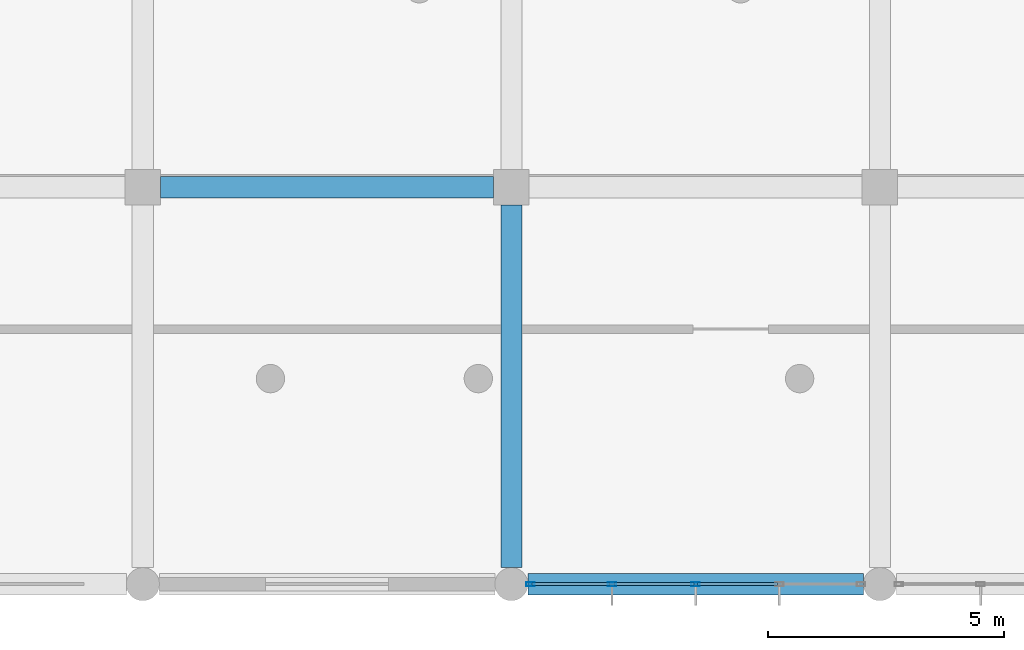
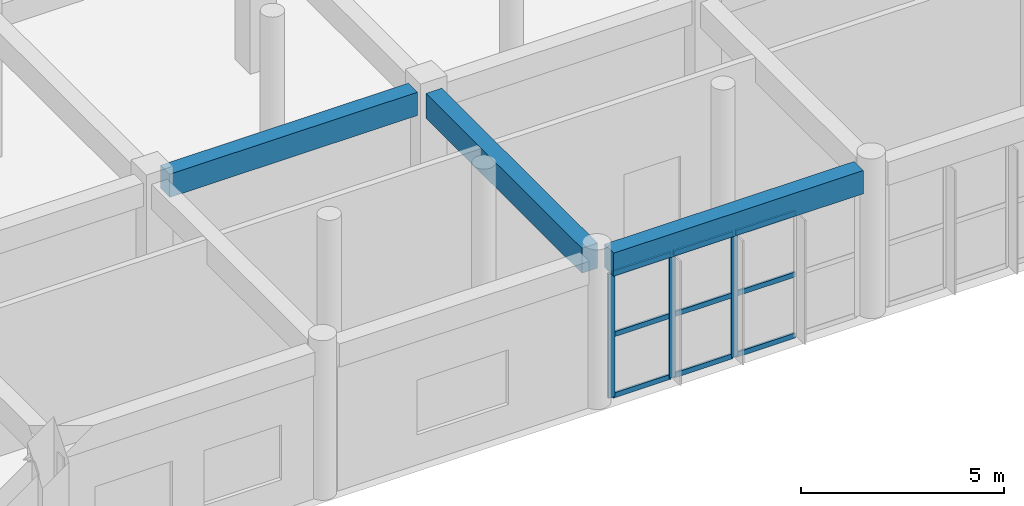
# One storey, part 6 of 167: 12 members, 3 beams, 1 element without a shape of its own.
"""IFC4 building model written with IfcOpenShell, lengths in metres."""

import ifcopenshell
import ifcopenshell.guid

model = None  # the IFC model being written
_history = None  # IfcOwnerHistory: only IFC2X3 demands one
_inside = {}  # id of a spatial element -> (the spatial element, [elements in it])
_under = {}  # id of a project, library or spatial element -> (it, [spatial elements below it])
_declared = {}  # id of a project -> (the project, [libraries it declares])
_typed = {}  # id of a type object -> (the type object, [elements of that type])
_made_of = {}  # id of a material, layer set ... -> (it, [elements and type objects made of it])


def new_model(schema):
    """Start an empty IFC model of exactly this schema.

    Asked for "IFC4X3", IfcOpenShell would pick the latest addendum, in which some entities
    have other attributes; the version numbers below select the first issue.
    IFC2X3 requires an IfcOwnerHistory on every rooted entity: one is made here for all.
    """
    global model, _history
    if schema == "IFC4X3":
        model = ifcopenshell.file(schema_version=(4, 3, 0, 0))
    else:
        model = ifcopenshell.file(schema=schema)
    _inside.clear()
    _under.clear()
    _declared.clear()
    _typed.clear()
    _made_of.clear()
    _history = None
    if model.schema == "IFC2X3":
        org = make("IfcOrganization", Name="unknown")
        user = make(
            "IfcPersonAndOrganization",
            ThePerson=make("IfcPerson", FamilyName="unknown"),
            TheOrganization=org,
        )
        app = make(
            "IfcApplication",
            ApplicationDeveloper=org,
            Version="unknown",
            ApplicationFullName="unknown",
            ApplicationIdentifier="unknown",
        )
        _history = make(
            "IfcOwnerHistory",
            OwningUser=user,
            OwningApplication=app,
            ChangeAction="ADDED",
            CreationDate=0,
        )
    return model


def make(cls, **values):
    """One entity of the class cls with the attributes given. An attribute that is None is left unset."""
    return model.create_entity(
        cls, **{name: value for name, value in values.items() if value is not None}
    )


def rooted(cls, **values):
    """An entity with a GlobalId (a new one), such as an element, a storey or a relation."""
    return make(cls, GlobalId=ifcopenshell.guid.new(), OwnerHistory=_history, **values)


def si_unit(unit_type, name, prefix=None):
    """IfcSIUnit, for example si_unit("LENGTHUNIT", "METRE", prefix="MILLI")."""
    return make("IfcSIUnit", UnitType=unit_type, Prefix=prefix, Name=name)


def assignment(units):
    """IfcUnitAssignment: the units of a project."""
    return None if units is None else make("IfcUnitAssignment", Units=units)


def point(xyz):
    """IfcCartesianPoint."""
    return None if xyz is None else make("IfcCartesianPoint", Coordinates=xyz)


def direction(xyz):
    """IfcDirection."""
    return None if xyz is None else make("IfcDirection", DirectionRatios=xyz)


def frame(location, z_axis=None, x_axis=None):
    """IfcAxis2Placement3D, a coordinate frame: its origin and axes. An axis left out is left unset."""
    return make(
        "IfcAxis2Placement3D",
        Location=point(location),
        Axis=direction(z_axis),
        RefDirection=direction(x_axis),
    )


def frame_2d(location, x_axis=None):
    """IfcAxis2Placement2D, a coordinate frame in the plane: its origin and x axis."""
    return make(
        "IfcAxis2Placement2D", Location=point(location), RefDirection=direction(x_axis)
    )


def origin():
    """The frame at (0, 0, 0) with its axes left unset."""
    return frame((0.0, 0.0, 0.0))


def origin_2d():
    """The frame at (0, 0) in the plane with its x axis left unset."""
    return frame_2d((0.0, 0.0))


def place(relative_to, where):
    """IfcLocalPlacement: puts the frame where relative to a parent placement (None: the world)."""
    return make(
        "IfcLocalPlacement", PlacementRelTo=relative_to, RelativePlacement=where
    )


def context(
    kind, dimensions, precision=None, world=None, true_north=None, identifier=None
):
    """IfcGeometricRepresentationContext, for example the 3D "Model" context."""
    return make(
        "IfcGeometricRepresentationContext",
        ContextIdentifier=identifier,
        ContextType=kind,
        CoordinateSpaceDimension=dimensions,
        Precision=precision,
        WorldCoordinateSystem=world,
        TrueNorth=true_north,
    )


def subcontext(parent, identifier, kind, view, scale=None):
    """IfcGeometricRepresentationSubContext, for example "Body" below "Model"."""
    return make(
        "IfcGeometricRepresentationSubContext",
        ContextIdentifier=identifier,
        ContextType=kind,
        ParentContext=parent,
        TargetScale=scale,
        TargetView=view,
    )


def project(units=None, contexts=None):
    """IfcProject with its units and contexts."""
    return rooted(
        "IfcProject",
        Name="project",
        RepresentationContexts=contexts,
        UnitsInContext=assignment(units),
    )


def spatial(cls, under=None, at=None, **own):
    """A site, building, storey or space (cls), placed at a placement, below another one or the project."""
    s = rooted(cls, ObjectPlacement=at, **own)
    if under is not None:
        _under.setdefault(under.id(), (under, []))[1].append(s)
    return s


def profile(cls, at=None, kind="AREA", **sizes):
    """A parametric profile (cls). Its sizes go by their IFC names, for example OverallWidth=200.0."""
    return make(cls, ProfileType=kind, Position=at, **sizes)


def rectangle(**sizes):
    """IfcRectangleProfileDef."""
    return profile("IfcRectangleProfileDef", **sizes)


def hollow_rectangle(**sizes):
    """IfcRectangleHollowProfileDef."""
    return profile("IfcRectangleHollowProfileDef", **sizes)


def extrude(swept, where, along, depth):
    """IfcExtrudedAreaSolid: the profile swept, set in the frame where, extruded along a direction by depth."""
    return make(
        "IfcExtrudedAreaSolid",
        SweptArea=swept,
        Position=where,
        ExtrudedDirection=direction(along),
        Depth=depth,
    )


def shape(context_of_items, identifier, shape_type, items):
    """IfcShapeRepresentation: the items that make up one representation, for example the "Body"."""
    return make(
        "IfcShapeRepresentation",
        ContextOfItems=context_of_items,
        RepresentationIdentifier=identifier,
        RepresentationType=shape_type,
        Items=items,
    )


def material(Name=None, Category=None):
    """IfcMaterial."""
    return make("IfcMaterial", Name=Name, Category=Category)


def layer(
    of_material, thickness, ventilated=None, Name=None, Category=None, Priority=None
):
    """IfcMaterialLayer: one layer of a wall or slab, of a material (None: an air gap)."""
    return make(
        "IfcMaterialLayer",
        Material=of_material,
        LayerThickness=thickness,
        IsVentilated=ventilated,
        Name=Name,
        Category=Category,
        Priority=Priority,
    )


def layer_set(layers, Name=None):
    """IfcMaterialLayerSet."""
    return make("IfcMaterialLayerSet", MaterialLayers=layers, LayerSetName=Name)


def material_profile(
    of_material, cross_section, Name=None, Category=None, Priority=None
):
    """IfcMaterialProfile: a cross section and its material."""
    return make(
        "IfcMaterialProfile",
        Name=Name,
        Material=of_material,
        Profile=cross_section,
        Priority=Priority,
        Category=Category,
    )


def profile_set(profiles, Name=None, composite=None):
    """IfcMaterialProfileSet."""
    return make(
        "IfcMaterialProfileSet",
        Name=Name,
        MaterialProfiles=profiles,
        CompositeProfile=composite,
    )


def made_of(thing, what):
    """Note that an element or type object is made of a material, layer set ...; save() writes the relation."""
    if what is not None:
        _made_of.setdefault(what.id(), (what, []))[1].append(thing)
    return thing


def type_object(cls, material=None, **own):
    """A type object (cls), such as IfcWallType, which elements share."""
    return made_of(rooted(cls, **own), material)


def element(
    cls,
    number,
    at=None,
    inside=None,
    cuts=None,
    type_object=None,
    material=None,
    context=None,
    identifier="Body",
    shape_type=None,
    held_by="IfcProductDefinitionShape",
    body=None,
    shapes=None,
    **own,
):
    """One element of the class cls, such as IfcWall. Its Tag is "e" and its number.

    at: its placement. inside: the storey or other place that contains it. cuts: it is an
    opening in that element (IfcRelVoidsElement). A single representation is given by context,
    identifier, shape_type and body (its items); several are given by shapes. held_by: the class
    of the entity that holds the representations. save() writes the other relations.
    """
    e = rooted(cls, Tag="e%d" % number, ObjectPlacement=at, **own)
    if body is not None:
        shapes = [shape(context, identifier, shape_type, body)]
    if shapes is not None:
        e.Representation = make(held_by, Representations=shapes)
    if inside is not None:
        _inside.setdefault(inside.id(), (inside, []))[1].append(e)
    if cuts is not None:
        rooted(
            "IfcRelVoidsElement", RelatingBuildingElement=cuts, RelatedOpeningElement=e
        )
    if type_object is not None:
        _typed.setdefault(type_object.id(), (type_object, []))[1].append(e)
    return made_of(e, material)


def aggregate(whole, parts):
    """IfcRelAggregates: a whole, such as a stair, and the parts it consists of."""
    return rooted("IfcRelAggregates", RelatingObject=whole, RelatedObjects=parts)


def save(model, path):
    """Write the relations noted so far, then the file.

    IfcRelAggregates (storeys below a building ...), IfcRelContainedInSpatialStructure (elements
    in a storey), IfcRelDefinesByType, IfcRelAssociatesMaterial and IfcRelDeclares: one each for
    every whole, place, type object, material and project.
    """
    for whole, parts in _under.values():
        aggregate(whole, parts)
    for where, things in _inside.values():
        rooted(
            "IfcRelContainedInSpatialStructure",
            RelatedElements=things,
            RelatingStructure=where,
        )
    for kind, things in _typed.values():
        rooted("IfcRelDefinesByType", RelatedObjects=things, RelatingType=kind)
    for what, things in _made_of.values():
        rooted("IfcRelAssociatesMaterial", RelatedObjects=things, RelatingMaterial=what)
    for by, libraries in _declared.values():
        rooted("IfcRelDeclares", RelatingContext=by, RelatedDefinitions=libraries)
    model.write(path)


model = new_model("IFC4")

# Units and contexts
model_context = context("Model", 3, precision=1e-05, world=origin(), true_north=direction((0.0, 1.0)))
body_context = subcontext(model_context, "Body", "Model", "MODEL_VIEW")
ifc_project = project(units=[si_unit("LENGTHUNIT", "METRE"), si_unit("AREAUNIT", "SQUARE_METRE"), si_unit("VOLUMEUNIT", "CUBIC_METRE"), si_unit("PLANEANGLEUNIT", "RADIAN"), si_unit("MASSUNIT", "GRAM", prefix="KILO")], contexts=[model_context])

# Site, building, storey
site_placement = place(None, origin())
site = spatial("IfcSite", under=ifc_project, at=site_placement, CompositionType="ELEMENT")
building_placement = place(site_placement, origin())
building = spatial("IfcBuilding", under=site, at=building_placement, Name="Zizhar Promenade General Hospital", CompositionType="ELEMENT")
storey_placement = place(building_placement, frame((0.0, 0.0, 9.60009765625)))
storey = spatial("IfcBuildingStorey", under=building, at=storey_placement, Name="L02", CompositionType="ELEMENT", Elevation=9.60009765625)

# Beams
ifc_material_1 = material(Name="Concrete C35/45", Category="concrete")
ifc_material_profile_1 = material_profile(ifc_material_1, rectangle(XDim=0.449951171875, YDim=0.699951171875, at=origin_2d()))
ifc_profile_set_1 = profile_set([ifc_material_profile_1], Name="Concrete C35/45")
beam_type_1 = type_object("IfcBeamType", Name="BM-RC-450x700", PredefinedType="BEAM", material=ifc_profile_set_1)
beam_1_placement = place(storey_placement, frame((15.97509765625, 8.39990234375, 4.119873046875), z_axis=(1.0, 0.0, 0.0), x_axis=(0.0, 1.0, 0.0)))
element("IfcBeam", 1, at=beam_1_placement, inside=storey, type_object=beam_type_1, Name="Grid Beam X L02 (2-1)", PredefinedType="BEAM", context=body_context, shape_type="SweptSolid", body=[
    extrude(rectangle(XDim=0.449951171875, YDim=0.699951171875, at=origin_2d()), origin(), (0.0, 0.0, 1.0), 7.0498046875),
])
beam_2_placement = place(storey_placement, frame((23.75, 0.0, 4.119873046875), z_axis=(1.0, 0.0, 0.0), x_axis=(0.0, 1.0, 0.0)))
element("IfcBeam", 2, at=beam_2_placement, inside=storey, type_object=beam_type_1, Name="Grid Beam X L02 (3-0)", PredefinedType="BEAM", context=body_context, shape_type="SweptSolid", body=[
    extrude(rectangle(XDim=0.449951171875, YDim=0.699951171875, at=origin_2d()), origin(), (0.0, 0.0, 1.0), 7.10009765625),
])
ifc_material_2 = material(Name="Concrete C35/45", Category="concrete")
ifc_material_profile_2 = material_profile(ifc_material_2, rectangle(XDim=0.449951171875, YDim=0.75, at=origin_2d()))
ifc_profile_set_2 = profile_set([ifc_material_profile_2], Name="Concrete C35/45")
beam_type_2 = type_object("IfcBeamType", Name="BM-RC-450x750", PredefinedType="BEAM", material=ifc_profile_set_2)
beam_3_placement = place(storey_placement, frame((23.39990234375, 0.35009765625, 4.094970703125), z_axis=(0.0, 1.0, 0.0), x_axis=(-1.0, 0.0, 0.0)))
element("IfcBeam", 3, at=beam_3_placement, inside=storey, type_object=beam_type_2, Name="Grid Beam Y L02 (3-0)", PredefinedType="BEAM", context=body_context, shape_type="SweptSolid", body=[
    extrude(rectangle(XDim=0.449951171875, YDim=0.75, at=origin_2d()), origin(), (0.0, 0.0, 1.0), 7.6748046875),
])

# Curtain wall, members
ifc_material_3 = material(Name="Anodised aluminium 6063-T6 and low-E glass", Category="aluminium")
ifc_layer = layer(ifc_material_3, 0.159912109375)
ifc_layer_set = layer_set([ifc_layer], Name="Anodised aluminium 6063-T6 and low-E glass")
curtain_wall_type = type_object("IfcCurtainWallType", Name="CW-DT-MOD1", PredefinedType="NOTDEFINED", material=ifc_layer_set)
curtain_wall_placement = place(storey_placement, origin())
curtain_wall = element("IfcCurtainWall", 4, at=curtain_wall_placement, inside=storey, type_object=curtain_wall_type, Name="Riverfront Clinical Curtain Wall L02-2", PredefinedType="NOTDEFINED")
ifc_material_4 = material(Name="Anodised aluminium 6063-T6", Category="aluminium")
ifc_material_profile_3 = material_profile(ifc_material_4, hollow_rectangle(XDim=0.080078125, YDim=0.179931640625, WallThickness=0.0048828125, at=origin_2d()))
ifc_profile_set_3 = profile_set([ifc_material_profile_3], Name="Anodised aluminium 6063-T6")
member_type_1 = type_object("IfcMemberType", Name="CWM-ALU-180x80", PredefinedType="MULLION", material=ifc_profile_set_3)
member_1_placement = place(storey_placement, frame((27.300048828125, 0.0, 0.0), z_axis=(0.0, 0.0, 1.0), x_axis=(0.0, -1.0, 0.0)))
member_1 = element("IfcMember", 5, at=member_1_placement, type_object=member_type_1, Name="CW-07 mullion 3", PredefinedType="MULLION", context=body_context, shape_type="SweptSolid", body=[
    extrude(hollow_rectangle(XDim=0.080078125, YDim=0.179931640625, WallThickness=0.0048828125, at=origin_2d()), origin(), (0.0, 0.0, 1.0), 3.72998046875),
])
member_2_placement = place(storey_placement, frame((25.530029296875, 0.0, 0.0), z_axis=(0.0, 0.0, 1.0), x_axis=(0.0, -1.0, 0.0)))
member_2 = element("IfcMember", 6, at=member_2_placement, type_object=member_type_1, Name="CW-07 mullion 4", PredefinedType="MULLION", context=body_context, shape_type="SweptSolid", body=[
    extrude(hollow_rectangle(XDim=0.080078125, YDim=0.179931640625, WallThickness=0.0048828125, at=origin_2d()), origin(), (0.0, 0.0, 1.0), 3.72998046875),
])
member_3_placement = place(storey_placement, frame((23.800048828125, 0.0, 0.0), z_axis=(0.0, 0.0, 1.0), x_axis=(0.0, -1.0, 0.0)))
member_3 = element("IfcMember", 7, at=member_3_placement, type_object=member_type_1, Name="CW-07 mullion 5", PredefinedType="MULLION", context=body_context, shape_type="SweptSolid", body=[
    extrude(hollow_rectangle(XDim=0.080078125, YDim=0.179931640625, WallThickness=0.0048828125, at=origin_2d()), origin(), (0.0, 0.0, 1.0), 3.72998046875),
])
ifc_material_5 = material(Name="Anodised aluminium 6063-T6", Category="aluminium")
ifc_material_profile_4 = material_profile(ifc_material_5, hollow_rectangle(XDim=0.06005859375, YDim=0.14990234375, WallThickness=0.00390625, at=origin_2d()))
ifc_profile_set_4 = profile_set([ifc_material_profile_4], Name="Anodised aluminium 6063-T6")
member_type_2 = type_object("IfcMemberType", Name="CWT-ALU-150x60", PredefinedType="USERDEFINED", material=ifc_profile_set_4)
member_4_placement = place(storey_placement, frame((29.030029296875, 0.0, 0.02978515625), z_axis=(-1.0, 0.0, 0.0), x_axis=(0.0, -1.0, 0.0)))
member_4 = element("IfcMember", 8, at=member_4_placement, type_object=member_type_2, Name="CW-07 transom 2.1", ObjectType="TRANSOM", PredefinedType="USERDEFINED", context=body_context, shape_type="SweptSolid", body=[
    extrude(hollow_rectangle(XDim=0.06005859375, YDim=0.14990234375, WallThickness=0.00390625, at=origin_2d()), origin(), (0.0, 0.0, 1.0), 1.68994140625),
])
member_5_placement = place(storey_placement, frame((29.030029296875, 0.0, 1.864990234375), z_axis=(-1.0, 0.0, 0.0), x_axis=(0.0, -1.0, 0.0)))
member_5 = element("IfcMember", 9, at=member_5_placement, type_object=member_type_2, Name="CW-07 transom 2.2", ObjectType="TRANSOM", PredefinedType="USERDEFINED", context=body_context, shape_type="SweptSolid", body=[
    extrude(hollow_rectangle(XDim=0.06005859375, YDim=0.14990234375, WallThickness=0.00390625, at=origin_2d()), origin(), (0.0, 0.0, 1.0), 1.68994140625),
])
member_6_placement = place(storey_placement, frame((29.030029296875, 0.0, 3.699951171875), z_axis=(-1.0, 0.0, 0.0), x_axis=(0.0, -1.0, 0.0)))
member_6 = element("IfcMember", 10, at=member_6_placement, type_object=member_type_2, Name="CW-07 transom 2.3", ObjectType="TRANSOM", PredefinedType="USERDEFINED", context=body_context, shape_type="SweptSolid", body=[
    extrude(hollow_rectangle(XDim=0.06005859375, YDim=0.14990234375, WallThickness=0.00390625, at=origin_2d()), origin(), (0.0, 0.0, 1.0), 1.68994140625),
])
member_7_placement = place(storey_placement, frame((27.260009765625, 0.0, 0.02978515625), z_axis=(-1.0, 0.0, 0.0), x_axis=(0.0, -1.0, 0.0)))
member_7 = element("IfcMember", 11, at=member_7_placement, type_object=member_type_2, Name="CW-07 transom 3.1", ObjectType="TRANSOM", PredefinedType="USERDEFINED", context=body_context, shape_type="SweptSolid", body=[
    extrude(hollow_rectangle(XDim=0.06005859375, YDim=0.14990234375, WallThickness=0.00390625, at=origin_2d()), origin(), (0.0, 0.0, 1.0), 1.68994140625),
])
member_8_placement = place(storey_placement, frame((27.260009765625, 0.0, 1.864990234375), z_axis=(-1.0, 0.0, 0.0), x_axis=(0.0, -1.0, 0.0)))
member_8 = element("IfcMember", 12, at=member_8_placement, type_object=member_type_2, Name="CW-07 transom 3.2", ObjectType="TRANSOM", PredefinedType="USERDEFINED", context=body_context, shape_type="SweptSolid", body=[
    extrude(hollow_rectangle(XDim=0.06005859375, YDim=0.14990234375, WallThickness=0.00390625, at=origin_2d()), origin(), (0.0, 0.0, 1.0), 1.68994140625),
])
member_9_placement = place(storey_placement, frame((27.260009765625, 0.0, 3.699951171875), z_axis=(-1.0, 0.0, 0.0), x_axis=(0.0, -1.0, 0.0)))
member_9 = element("IfcMember", 13, at=member_9_placement, type_object=member_type_2, Name="CW-07 transom 3.3", ObjectType="TRANSOM", PredefinedType="USERDEFINED", context=body_context, shape_type="SweptSolid", body=[
    extrude(hollow_rectangle(XDim=0.06005859375, YDim=0.14990234375, WallThickness=0.00390625, at=origin_2d()), origin(), (0.0, 0.0, 1.0), 1.68994140625),
])
member_10_placement = place(storey_placement, frame((25.489990234375, 0.0, 0.02978515625), z_axis=(-1.0, 0.0, 0.0), x_axis=(0.0, -1.0, 0.0)))
member_10 = element("IfcMember", 14, at=member_10_placement, type_object=member_type_2, Name="CW-07 transom 4.1", ObjectType="TRANSOM", PredefinedType="USERDEFINED", context=body_context, shape_type="SweptSolid", body=[
    extrude(hollow_rectangle(XDim=0.06005859375, YDim=0.14990234375, WallThickness=0.00390625, at=origin_2d()), origin(), (0.0, 0.0, 1.0), 1.64990234375),
])
member_11_placement = place(storey_placement, frame((25.489990234375, 0.0, 1.864990234375), z_axis=(-1.0, 0.0, 0.0), x_axis=(0.0, -1.0, 0.0)))
member_11 = element("IfcMember", 15, at=member_11_placement, type_object=member_type_2, Name="CW-07 transom 4.2", ObjectType="TRANSOM", PredefinedType="USERDEFINED", context=body_context, shape_type="SweptSolid", body=[
    extrude(hollow_rectangle(XDim=0.06005859375, YDim=0.14990234375, WallThickness=0.00390625, at=origin_2d()), origin(), (0.0, 0.0, 1.0), 1.64990234375),
])
member_12_placement = place(storey_placement, frame((25.489990234375, 0.0, 3.699951171875), z_axis=(-1.0, 0.0, 0.0), x_axis=(0.0, -1.0, 0.0)))
member_12 = element("IfcMember", 16, at=member_12_placement, type_object=member_type_2, Name="CW-07 transom 4.3", ObjectType="TRANSOM", PredefinedType="USERDEFINED", context=body_context, shape_type="SweptSolid", body=[
    extrude(hollow_rectangle(XDim=0.06005859375, YDim=0.14990234375, WallThickness=0.00390625, at=origin_2d()), origin(), (0.0, 0.0, 1.0), 1.64990234375),
])
aggregate(curtain_wall, [member_1, member_2, member_3, member_4, member_5, member_6, member_7, member_8, member_9, member_10, member_11, member_12])

save(model, "model.ifc")
